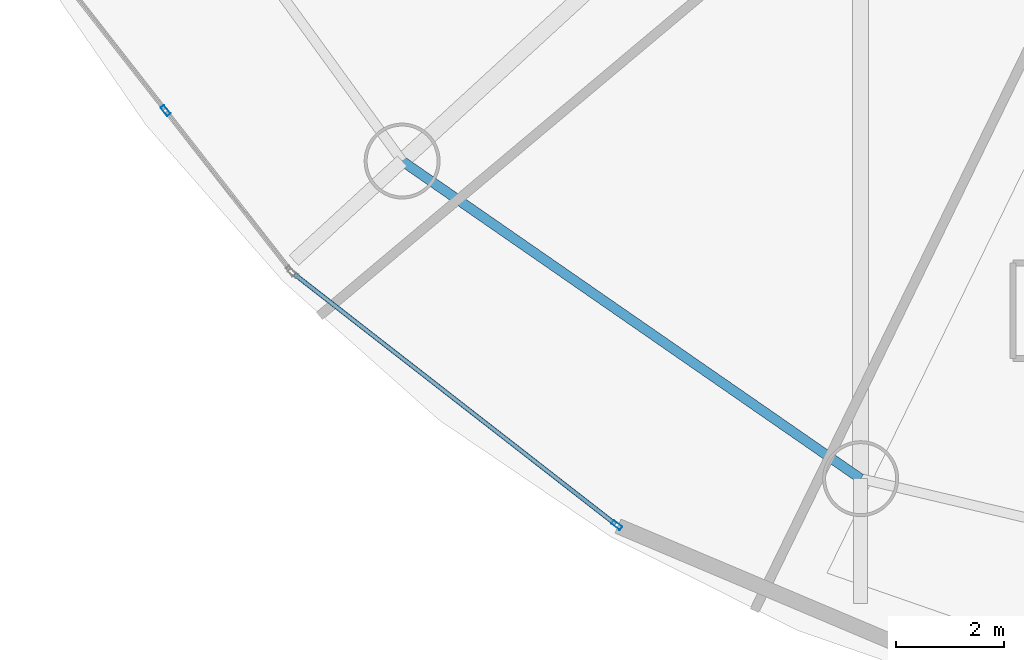
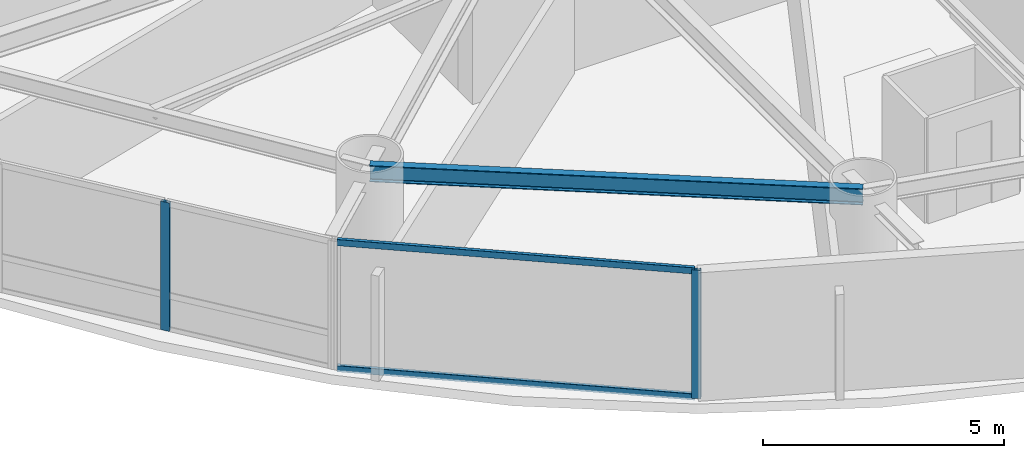
# One storey, part 2 of 20: 4 members, 1 beam, 2 elements without a shape of their own.
"""IFC4 building model written with IfcOpenShell, lengths in metres."""

import ifcopenshell
import ifcopenshell.guid

model = None  # the IFC model being written
_history = None  # IfcOwnerHistory: only IFC2X3 demands one
_inside = {}  # id of a spatial element -> (the spatial element, [elements in it])
_under = {}  # id of a project, library or spatial element -> (it, [spatial elements below it])
_declared = {}  # id of a project -> (the project, [libraries it declares])
_typed = {}  # id of a type object -> (the type object, [elements of that type])
_made_of = {}  # id of a material, layer set ... -> (it, [elements and type objects made of it])


def new_model(schema):
    """Start an empty IFC model of exactly this schema.

    Asked for "IFC4X3", IfcOpenShell would pick the latest addendum, in which some entities
    have other attributes; the version numbers below select the first issue.
    IFC2X3 requires an IfcOwnerHistory on every rooted entity: one is made here for all.
    """
    global model, _history
    if schema == "IFC4X3":
        model = ifcopenshell.file(schema_version=(4, 3, 0, 0))
    else:
        model = ifcopenshell.file(schema=schema)
    _inside.clear()
    _under.clear()
    _declared.clear()
    _typed.clear()
    _made_of.clear()
    _history = None
    if model.schema == "IFC2X3":
        org = make("IfcOrganization", Name="unknown")
        user = make(
            "IfcPersonAndOrganization",
            ThePerson=make("IfcPerson", FamilyName="unknown"),
            TheOrganization=org,
        )
        app = make(
            "IfcApplication",
            ApplicationDeveloper=org,
            Version="unknown",
            ApplicationFullName="unknown",
            ApplicationIdentifier="unknown",
        )
        _history = make(
            "IfcOwnerHistory",
            OwningUser=user,
            OwningApplication=app,
            ChangeAction="ADDED",
            CreationDate=0,
        )
    return model


def make(cls, **values):
    """One entity of the class cls with the attributes given. An attribute that is None is left unset."""
    return model.create_entity(
        cls, **{name: value for name, value in values.items() if value is not None}
    )


def rooted(cls, **values):
    """An entity with a GlobalId (a new one), such as an element, a storey or a relation."""
    return make(cls, GlobalId=ifcopenshell.guid.new(), OwnerHistory=_history, **values)


def si_unit(unit_type, name, prefix=None):
    """IfcSIUnit, for example si_unit("LENGTHUNIT", "METRE", prefix="MILLI")."""
    return make("IfcSIUnit", UnitType=unit_type, Prefix=prefix, Name=name)


def assignment(units):
    """IfcUnitAssignment: the units of a project."""
    return None if units is None else make("IfcUnitAssignment", Units=units)


def point(xyz):
    """IfcCartesianPoint."""
    return None if xyz is None else make("IfcCartesianPoint", Coordinates=xyz)


def direction(xyz):
    """IfcDirection."""
    return None if xyz is None else make("IfcDirection", DirectionRatios=xyz)


def frame(location, z_axis=None, x_axis=None):
    """IfcAxis2Placement3D, a coordinate frame: its origin and axes. An axis left out is left unset."""
    return make(
        "IfcAxis2Placement3D",
        Location=point(location),
        Axis=direction(z_axis),
        RefDirection=direction(x_axis),
    )


def frame_2d(location, x_axis=None):
    """IfcAxis2Placement2D, a coordinate frame in the plane: its origin and x axis."""
    return make(
        "IfcAxis2Placement2D", Location=point(location), RefDirection=direction(x_axis)
    )


def origin():
    """The frame at (0, 0, 0) with its axes left unset."""
    return frame((0.0, 0.0, 0.0))


def origin_2d():
    """The frame at (0, 0) in the plane with its x axis left unset."""
    return frame_2d((0.0, 0.0))


def place(relative_to, where):
    """IfcLocalPlacement: puts the frame where relative to a parent placement (None: the world)."""
    return make(
        "IfcLocalPlacement", PlacementRelTo=relative_to, RelativePlacement=where
    )


def context(
    kind, dimensions, precision=None, world=None, true_north=None, identifier=None
):
    """IfcGeometricRepresentationContext, for example the 3D "Model" context."""
    return make(
        "IfcGeometricRepresentationContext",
        ContextIdentifier=identifier,
        ContextType=kind,
        CoordinateSpaceDimension=dimensions,
        Precision=precision,
        WorldCoordinateSystem=world,
        TrueNorth=true_north,
    )


def subcontext(parent, identifier, kind, view, scale=None):
    """IfcGeometricRepresentationSubContext, for example "Body" below "Model"."""
    return make(
        "IfcGeometricRepresentationSubContext",
        ContextIdentifier=identifier,
        ContextType=kind,
        ParentContext=parent,
        TargetScale=scale,
        TargetView=view,
    )


def project(units=None, contexts=None):
    """IfcProject with its units and contexts."""
    return rooted(
        "IfcProject",
        Name="project",
        RepresentationContexts=contexts,
        UnitsInContext=assignment(units),
    )


def spatial(cls, under=None, at=None, **own):
    """A site, building, storey or space (cls), placed at a placement, below another one or the project."""
    s = rooted(cls, ObjectPlacement=at, **own)
    if under is not None:
        _under.setdefault(under.id(), (under, []))[1].append(s)
    return s


def profile(cls, at=None, kind="AREA", **sizes):
    """A parametric profile (cls). Its sizes go by their IFC names, for example OverallWidth=200.0."""
    return make(cls, ProfileType=kind, Position=at, **sizes)


def hollow_rectangle(**sizes):
    """IfcRectangleHollowProfileDef."""
    return profile("IfcRectangleHollowProfileDef", **sizes)


def i_section(**sizes):
    """IfcIShapeProfileDef."""
    return profile("IfcIShapeProfileDef", **sizes)


def extrude(swept, where, along, depth):
    """IfcExtrudedAreaSolid: the profile swept, set in the frame where, extruded along a direction by depth."""
    return make(
        "IfcExtrudedAreaSolid",
        SweptArea=swept,
        Position=where,
        ExtrudedDirection=direction(along),
        Depth=depth,
    )


def shape(context_of_items, identifier, shape_type, items):
    """IfcShapeRepresentation: the items that make up one representation, for example the "Body"."""
    return make(
        "IfcShapeRepresentation",
        ContextOfItems=context_of_items,
        RepresentationIdentifier=identifier,
        RepresentationType=shape_type,
        Items=items,
    )


def material(Name=None, Category=None):
    """IfcMaterial."""
    return make("IfcMaterial", Name=Name, Category=Category)


def layer(
    of_material, thickness, ventilated=None, Name=None, Category=None, Priority=None
):
    """IfcMaterialLayer: one layer of a wall or slab, of a material (None: an air gap)."""
    return make(
        "IfcMaterialLayer",
        Material=of_material,
        LayerThickness=thickness,
        IsVentilated=ventilated,
        Name=Name,
        Category=Category,
        Priority=Priority,
    )


def layer_set(layers, Name=None):
    """IfcMaterialLayerSet."""
    return make("IfcMaterialLayerSet", MaterialLayers=layers, LayerSetName=Name)


def material_profile(
    of_material, cross_section, Name=None, Category=None, Priority=None
):
    """IfcMaterialProfile: a cross section and its material."""
    return make(
        "IfcMaterialProfile",
        Name=Name,
        Material=of_material,
        Profile=cross_section,
        Priority=Priority,
        Category=Category,
    )


def profile_set(profiles, Name=None, composite=None):
    """IfcMaterialProfileSet."""
    return make(
        "IfcMaterialProfileSet",
        Name=Name,
        MaterialProfiles=profiles,
        CompositeProfile=composite,
    )


def made_of(thing, what):
    """Note that an element or type object is made of a material, layer set ...; save() writes the relation."""
    if what is not None:
        _made_of.setdefault(what.id(), (what, []))[1].append(thing)
    return thing


def type_object(cls, material=None, **own):
    """A type object (cls), such as IfcWallType, which elements share."""
    return made_of(rooted(cls, **own), material)


def element(
    cls,
    number,
    at=None,
    inside=None,
    cuts=None,
    type_object=None,
    material=None,
    context=None,
    identifier="Body",
    shape_type=None,
    held_by="IfcProductDefinitionShape",
    body=None,
    shapes=None,
    **own,
):
    """One element of the class cls, such as IfcWall. Its Tag is "e" and its number.

    at: its placement. inside: the storey or other place that contains it. cuts: it is an
    opening in that element (IfcRelVoidsElement). A single representation is given by context,
    identifier, shape_type and body (its items); several are given by shapes. held_by: the class
    of the entity that holds the representations. save() writes the other relations.
    """
    e = rooted(cls, Tag="e%d" % number, ObjectPlacement=at, **own)
    if body is not None:
        shapes = [shape(context, identifier, shape_type, body)]
    if shapes is not None:
        e.Representation = make(held_by, Representations=shapes)
    if inside is not None:
        _inside.setdefault(inside.id(), (inside, []))[1].append(e)
    if cuts is not None:
        rooted(
            "IfcRelVoidsElement", RelatingBuildingElement=cuts, RelatedOpeningElement=e
        )
    if type_object is not None:
        _typed.setdefault(type_object.id(), (type_object, []))[1].append(e)
    return made_of(e, material)


def aggregate(whole, parts):
    """IfcRelAggregates: a whole, such as a stair, and the parts it consists of."""
    return rooted("IfcRelAggregates", RelatingObject=whole, RelatedObjects=parts)


def save(model, path):
    """Write the relations noted so far, then the file.

    IfcRelAggregates (storeys below a building ...), IfcRelContainedInSpatialStructure (elements
    in a storey), IfcRelDefinesByType, IfcRelAssociatesMaterial and IfcRelDeclares: one each for
    every whole, place, type object, material and project.
    """
    for whole, parts in _under.values():
        aggregate(whole, parts)
    for where, things in _inside.values():
        rooted(
            "IfcRelContainedInSpatialStructure",
            RelatedElements=things,
            RelatingStructure=where,
        )
    for kind, things in _typed.values():
        rooted("IfcRelDefinesByType", RelatedObjects=things, RelatingType=kind)
    for what, things in _made_of.values():
        rooted("IfcRelAssociatesMaterial", RelatedObjects=things, RelatingMaterial=what)
    for by, libraries in _declared.values():
        rooted("IfcRelDeclares", RelatingContext=by, RelatedDefinitions=libraries)
    model.write(path)


model = new_model("IFC4")

# Units and contexts
model_context = context("Model", 3, precision=1e-05, world=origin(), true_north=direction((0.0, 1.0)))
body_context = subcontext(model_context, "Body", "Model", "MODEL_VIEW")
ifc_project = project(units=[si_unit("LENGTHUNIT", "METRE"), si_unit("AREAUNIT", "SQUARE_METRE"), si_unit("VOLUMEUNIT", "CUBIC_METRE"), si_unit("PLANEANGLEUNIT", "RADIAN"), si_unit("MASSUNIT", "GRAM", prefix="KILO")], contexts=[model_context])

# Site, building, storey
site_placement = place(None, origin())
site = spatial("IfcSite", under=ifc_project, at=site_placement, CompositionType="ELEMENT")
building_placement = place(site_placement, origin())
building = spatial("IfcBuilding", under=site, at=building_placement, Name="Bramvorn Convention Spire", CompositionType="ELEMENT")
storey_placement = place(building_placement, frame((0.0, 0.0, 151.800048828125)))
storey = spatial("IfcBuildingStorey", under=building, at=storey_placement, Name="L38", CompositionType="ELEMENT", Elevation=151.800048828125)

# Beam
ifc_material_1 = material(Name="Steel CSA G40.21 Grade 350 (350W)", Category="steel")
ifc_material_profile_1 = material_profile(ifc_material_1, i_section(OverallWidth=0.180908203125, OverallDepth=0.4169921875, WebThickness=0.010986328125, FlangeThickness=0.018310546875, FilletRadius=0.01611328125, at=origin_2d()))
ifc_profile_set_1 = profile_set([ifc_material_profile_1], Name="Steel CSA G40.21 Grade 350 (350W) - W410X85")
beam_type = type_object("IfcBeamType", Name="BM-W410X85", PredefinedType="JOIST", material=ifc_profile_set_1)
beam_placement = place(storey_placement, frame((21.465087890625, 13.700927734375, 3.051513671875), z_axis=(0.822033166673, -0.569439613032, 0.0), x_axis=(0.569439613032, 0.822033166673, 0.0)))
element("IfcBeam", 1, at=beam_placement, inside=storey, type_object=beam_type, Name="L38 mega-column ring beam 12", PredefinedType="JOIST", context=body_context, shape_type="SweptSolid", body=[
    extrude(i_section(OverallWidth=0.180908203125, OverallDepth=0.4169921875, WebThickness=0.010986328125, FlangeThickness=0.018310546875, FilletRadius=0.01611328125, at=origin_2d()), origin(), (0.0, 0.0, 1.0), 10.281982421875),
])

# Curtain wall, member
ifc_material_2 = material(Name="Anodised Bronze Unitised Curtain Wall", Category="aluminium")
ifc_layer = layer(ifc_material_2, 0.179931640625)
ifc_layer_set = layer_set([ifc_layer], Name="Anodised Bronze Unitised Curtain Wall - CW-HTL-FRIT")
curtain_wall_type = type_object("IfcCurtainWallType", Name="CW-HTL-FRIT", PredefinedType="USERDEFINED", material=ifc_layer_set)
curtain_wall_1_placement = place(storey_placement, origin())
curtain_wall_1 = element("IfcCurtainWall", 2, at=curtain_wall_1_placement, inside=storey, type_object=curtain_wall_type, Name="L38 fritted glass curtain wall 17", ObjectType="UNITISED CURTAIN WALL", PredefinedType="USERDEFINED")
ifc_material_3 = material(Name="Anodised Bronze Aluminium 6063-T6", Category="aluminium")
ifc_material_profile_2 = material_profile(ifc_material_3, hollow_rectangle(XDim=0.080078125, YDim=0.199951171875, WallThickness=0.00390625, InnerFilletRadius=0.0009765625, OuterFilletRadius=0.00390625, at=origin_2d()))
ifc_profile_set_2 = profile_set([ifc_material_profile_2], Name="Anodised Bronze Aluminium 6063-T6 - CWM80X200")
member_type_1 = type_object("IfcMemberType", Name="CW-MUL-180", PredefinedType="MULLION", material=ifc_profile_set_2)
member_1_placement = place(storey_placement, frame((17.103271484375, 14.63232421875, 0.0), z_axis=(0.0, 0.0, 1.0), x_axis=(-0.788002941535, -0.615671474191, 0.0)))
member_1 = element("IfcMember", 3, at=member_1_placement, type_object=member_type_1, Name="CW2 mullion 2", PredefinedType="MULLION", context=body_context, shape_type="SweptSolid", body=[
    extrude(hollow_rectangle(XDim=0.080078125, YDim=0.199951171875, WallThickness=0.00390625, InnerFilletRadius=0.0009765625, OuterFilletRadius=0.00390625, at=origin_2d()), origin(), (0.0, 0.0, 1.0), 3.260009765625),
])
aggregate(curtain_wall_1, [member_1])

# Curtain wall, members
curtain_wall_2_placement = place(storey_placement, origin())
curtain_wall_2 = element("IfcCurtainWall", 4, at=curtain_wall_2_placement, inside=storey, type_object=curtain_wall_type, Name="L38 fritted glass curtain wall 18", ObjectType="UNITISED CURTAIN WALL", PredefinedType="USERDEFINED")
member_2_placement = place(storey_placement, frame((25.420654296875, 6.9892578125, 0.0), z_axis=(0.0, 0.0, 1.0), x_axis=(-0.614257749133, -0.789105454062, 0.0)))
member_2 = element("IfcMember", 5, at=member_2_placement, type_object=member_type_1, Name="CW2 mullion 1", PredefinedType="MULLION", context=body_context, shape_type="SweptSolid", body=[
    extrude(hollow_rectangle(XDim=0.080078125, YDim=0.199951171875, WallThickness=0.00390625, InnerFilletRadius=0.0009765625, OuterFilletRadius=0.00390625, at=origin_2d()), origin(), (0.0, 0.0, 1.0), 3.260009765625),
])
ifc_material_profile_3 = material_profile(ifc_material_3, hollow_rectangle(XDim=0.080078125, YDim=0.159912109375, WallThickness=0.00390625, InnerFilletRadius=0.0009765625, OuterFilletRadius=0.00390625, at=origin_2d()))
ifc_profile_set_3 = profile_set([ifc_material_profile_3], Name="Anodised Bronze Aluminium 6063-T6 - CWT80X160")
member_type_2 = type_object("IfcMemberType", Name="CW-TRN-150", PredefinedType="USERDEFINED", material=ifc_profile_set_3)
member_3_placement = place(storey_placement, frame((25.39697265625, 7.0078125, 0.030029296875), z_axis=(-0.789113692092, 0.614247166011, 0.0), x_axis=(-0.614247166011, -0.789113692092, 0.0)))
member_3 = element("IfcMember", 6, at=member_3_placement, type_object=member_type_2, Name="CW2 transom 1.1", ObjectType="TRANSOM", PredefinedType="USERDEFINED", context=body_context, shape_type="SweptSolid", body=[
    extrude(hollow_rectangle(XDim=0.080078125, YDim=0.159912109375, WallThickness=0.00390625, InnerFilletRadius=0.0009765625, OuterFilletRadius=0.00390625, at=origin_2d()), origin(), (0.0, 0.0, 1.0), 7.497314453125),
])
member_4_placement = place(storey_placement, frame((25.39697265625, 7.0078125, 3.22998046875), z_axis=(-0.789113692092, 0.614247166011, 0.0), x_axis=(-0.614247166011, -0.789113692092, 0.0)))
member_4 = element("IfcMember", 7, at=member_4_placement, type_object=member_type_2, Name="CW2 transom 1.2", ObjectType="TRANSOM", PredefinedType="USERDEFINED", context=body_context, shape_type="SweptSolid", body=[
    extrude(hollow_rectangle(XDim=0.080078125, YDim=0.159912109375, WallThickness=0.00390625, InnerFilletRadius=0.0009765625, OuterFilletRadius=0.00390625, at=origin_2d()), origin(), (0.0, 0.0, 1.0), 7.497314453125),
])
aggregate(curtain_wall_2, [member_2, member_3, member_4])

save(model, "model.ifc")
